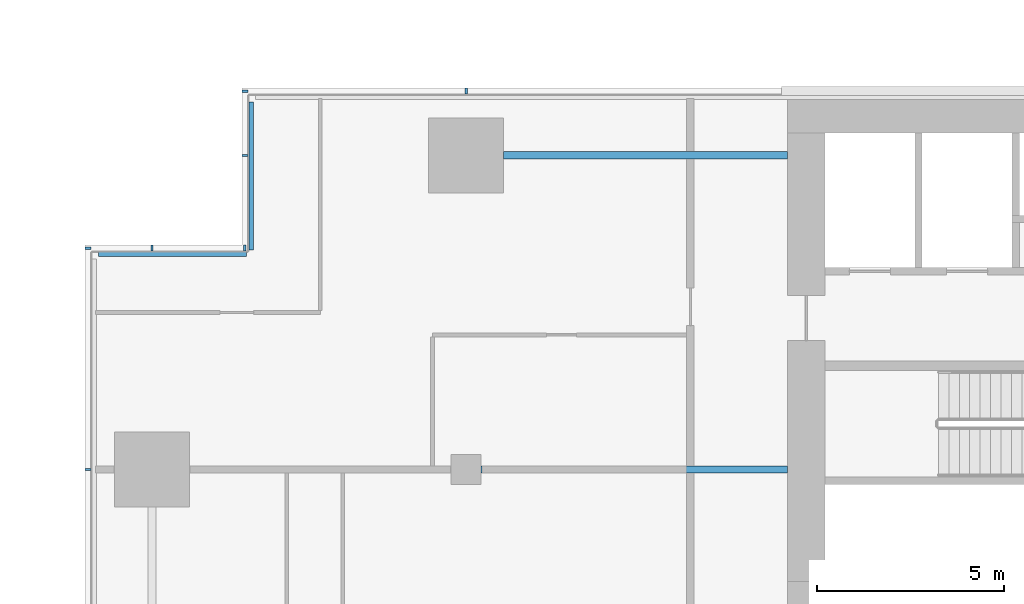
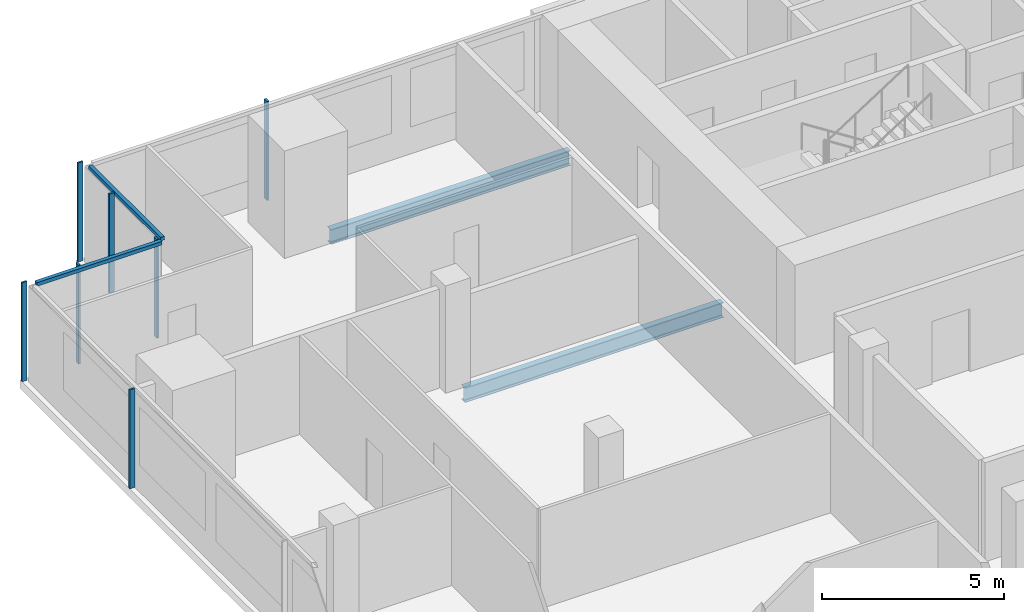
# One storey, part 8 of 29: 9 members, 2 beams, 4 elements without a shape of their own.
"""IFC4 building model written with IfcOpenShell, lengths in metres."""

from ifc_helpers import new_model, si_unit, direction, frame, origin, origin_2d, place, context, subcontext, project, spatial, rectangle, i_section, extrude, material, material_profile, profile_set, type_object, element, aggregate, save


model = new_model("IFC4")

# Units and contexts
model_context = context("Model", 3, precision=1e-05, world=origin(), true_north=direction((0.0, 1.0)))
body_context = subcontext(model_context, "Body", "Model", "MODEL_VIEW")
ifc_project = project(units=[si_unit("LENGTHUNIT", "METRE"), si_unit("AREAUNIT", "SQUARE_METRE"), si_unit("VOLUMEUNIT", "CUBIC_METRE"), si_unit("PLANEANGLEUNIT", "RADIAN"), si_unit("MASSUNIT", "GRAM", prefix="KILO")], contexts=[model_context])

# Site, building, storey
site_placement = place(None, origin())
site = spatial("IfcSite", under=ifc_project, at=site_placement, CompositionType="ELEMENT")
building_placement = place(site_placement, origin())
building = spatial("IfcBuilding", under=site, at=building_placement, Name="Saffron Gate Tower", CompositionType="ELEMENT")
storey_placement = place(building_placement, frame((0.0, 0.0, 116.85009765625)))
storey = spatial("IfcBuildingStorey", under=building, at=storey_placement, Name="L27", CompositionType="ELEMENT", Elevation=116.85009765625)

# Beams
ifc_material_1 = material(Name="Structural steel S355", Category="steel")
ifc_material_profile_1 = material_profile(ifc_material_1, i_section(OverallWidth=0.199951171875, OverallDepth=0.5, WebThickness=0.01025390625, FlangeThickness=0.01611328125, FilletRadius=0.02099609375, at=origin_2d()))
ifc_profile_set_1 = profile_set([ifc_material_profile_1], Name="Structural steel S355")
beam_type = type_object("IfcBeamType", Name="B10 IPE 500", PredefinedType="BEAM", material=ifc_profile_set_1)
beam_1_placement = place(storey_placement, frame((58.60009765625, 65.39990234375, -0.530029296875), z_axis=(1.0, 0.0, 0.0), x_axis=(0.0, 1.0, 0.0)))
element("IfcBeam", 1, at=beam_1_placement, inside=storey, type_object=beam_type, Name="B10 CORE TIE BEAM", PredefinedType="BEAM", context=body_context, shape_type="SweptSolid", body=[
    extrude(i_section(OverallWidth=0.199951171875, OverallDepth=0.5, WebThickness=0.01025390625, FlangeThickness=0.01611328125, FilletRadius=0.02099609375, at=origin_2d()), origin(), (0.0, 0.0, 1.0), 8.199951171875),
])
beam_2_placement = place(storey_placement, frame((59.199951171875, 73.800048828125, -0.530029296875), z_axis=(1.0, 0.0, 0.0), x_axis=(0.0, 1.0, 0.0)))
element("IfcBeam", 2, at=beam_2_placement, inside=storey, type_object=beam_type, Name="B10 CORE TIE BEAM", PredefinedType="BEAM", context=body_context, shape_type="SweptSolid", body=[
    extrude(i_section(OverallWidth=0.199951171875, OverallDepth=0.5, WebThickness=0.01025390625, FlangeThickness=0.01611328125, FilletRadius=0.02099609375, at=origin_2d()), origin(), (0.0, 0.0, 1.0), 7.60009765625),
])

# Curtain wall, members
ifc_material_2 = material(Name="Aluminium, bronze anodised", Category="aluminium")
curtain_wall_type_1 = type_object("IfcCurtainWallType", Name="CWS2 curtain wall side facades", PredefinedType="NOTDEFINED", material=ifc_material_2)
curtain_wall_1_placement = place(storey_placement, origin())
curtain_wall_1 = element("IfcCurtainWall", 3, at=curtain_wall_1_placement, inside=storey, type_object=curtain_wall_type_1, Name="CWS2 run 10", PredefinedType="NOTDEFINED")
ifc_material_profile_2 = material_profile(ifc_material_2, rectangle(XDim=0.159912109375, YDim=0.06005859375, at=origin_2d()))
ifc_profile_set_2 = profile_set([ifc_material_profile_2], Name="Aluminium, bronze anodised")
member_type_1 = type_object("IfcMemberType", Name="CWS2 mullion 60x160", PredefinedType="MULLION", material=ifc_profile_set_2)
member_1_placement = place(storey_placement, frame((48.080078125, 71.320068359375, 0.0), z_axis=(0.0, 0.0, 1.0), x_axis=(1.0, 0.0, 0.0)))
member_1 = element("IfcMember", 4, at=member_1_placement, type_object=member_type_1, Name="CWS2 mullion 1", PredefinedType="MULLION", context=body_context, shape_type="SweptSolid", body=[
    extrude(rectangle(XDim=0.159912109375, YDim=0.06005859375, at=origin_2d()), origin(), (0.0, 0.0, 1.0), 3.31982421875),
])
member_2_placement = place(storey_placement, frame((48.080078125, 65.39990234375, 0.0), z_axis=(0.0, 0.0, 1.0), x_axis=(1.0, 0.0, 0.0)))
member_2 = element("IfcMember", 5, at=member_2_placement, type_object=member_type_1, Name="CWS2 mullion 2", PredefinedType="MULLION", context=body_context, shape_type="SweptSolid", body=[
    extrude(rectangle(XDim=0.159912109375, YDim=0.06005859375, at=origin_2d()), origin(), (0.0, 0.0, 1.0), 3.31982421875),
])
aggregate(curtain_wall_1, [member_1, member_2])

# Curtain wall, member
curtain_wall_type_2 = type_object("IfcCurtainWallType", Name="CWS3 curtain wall rear facade", PredefinedType="NOTDEFINED", material=ifc_material_2)
curtain_wall_2_placement = place(storey_placement, origin())
curtain_wall_2 = element("IfcCurtainWall", 6, at=curtain_wall_2_placement, inside=storey, type_object=curtain_wall_type_2, Name="CWS3 run 7", PredefinedType="NOTDEFINED")
ifc_material_profile_3 = material_profile(ifc_material_2, rectangle(XDim=0.159912109375, YDim=0.070068359375, at=origin_2d()))
ifc_profile_set_3 = profile_set([ifc_material_profile_3], Name="Aluminium, bronze anodised")
member_type_2 = type_object("IfcMemberType", Name="CWS3 mullion 70x160", PredefinedType="MULLION", material=ifc_profile_set_3)
member_3_placement = place(storey_placement, frame((58.199951171875, 75.52001953125, 0.0), z_axis=(0.0, 0.0, 1.0), x_axis=(0.0, -1.0, 0.0)))
member_3 = element("IfcMember", 7, at=member_3_placement, type_object=member_type_2, Name="CWS3 mullion 9", PredefinedType="MULLION", context=body_context, shape_type="SweptSolid", body=[
    extrude(rectangle(XDim=0.159912109375, YDim=0.070068359375, at=origin_2d()), origin(), (0.0, 0.0, 1.0), 3.31982421875),
])
aggregate(curtain_wall_2, [member_3])

curtain_wall_type_3 = type_object("IfcCurtainWallType", Name="CWS4 curtain wall corner returns", PredefinedType="NOTDEFINED", material=ifc_material_2)
curtain_wall_3_placement = place(storey_placement, origin())
curtain_wall_3 = element("IfcCurtainWall", 8, at=curtain_wall_3_placement, inside=storey, type_object=curtain_wall_type_3, Name="CWS4 run 8", PredefinedType="NOTDEFINED")
ifc_material_profile_4 = material_profile(ifc_material_2, rectangle(XDim=0.1201171875, YDim=0.1201171875, at=origin_2d()))
ifc_profile_set_4 = profile_set([ifc_material_profile_4], Name="Aluminium, bronze anodised")
member_type_3 = type_object("IfcMemberType", Name="CWS4 head transom", PredefinedType="USERDEFINED", material=ifc_profile_set_4)
member_4_placement = place(storey_placement, frame((52.447998046875, 75.23193359375, 3.260009765625), z_axis=(0.0, -1.0, 0.0), x_axis=(1.0, 0.0, 0.0)))
member_4 = element("IfcMember", 9, at=member_4_placement, type_object=member_type_3, Name="CWS4 head transom", ObjectType="TRANSOM", PredefinedType="USERDEFINED", context=body_context, shape_type="SweptSolid", body=[
    extrude(rectangle(XDim=0.1201171875, YDim=0.1201171875, at=origin_2d()), origin(), (0.0, 0.0, 1.0), 3.9599609375),
])

curtain_wall_4_placement = place(storey_placement, origin())
curtain_wall_4 = element("IfcCurtainWall", 10, at=curtain_wall_4_placement, inside=storey, type_object=curtain_wall_type_3, Name="CWS4 run 9", PredefinedType="NOTDEFINED")
member_5_placement = place(storey_placement, frame((52.327880859375, 71.152099609375, 3.260009765625), z_axis=(-1.0, 0.0, 0.0), x_axis=(0.0, -1.0, 0.0)))
member_5 = element("IfcMember", 11, at=member_5_placement, type_object=member_type_3, Name="CWS4 head transom", ObjectType="TRANSOM", PredefinedType="USERDEFINED", context=body_context, shape_type="SweptSolid", body=[
    extrude(rectangle(XDim=0.1201171875, YDim=0.1201171875, at=origin_2d()), origin(), (0.0, 0.0, 1.0), 3.9599609375),
])

# Member
ifc_material_profile_5 = material_profile(ifc_material_2, rectangle(XDim=0.159912109375, YDim=0.06005859375, at=origin_2d()))
ifc_profile_set_5 = profile_set([ifc_material_profile_5], Name="Aluminium, bronze anodised")
member_type_4 = type_object("IfcMemberType", Name="CWS4 mullion 60x160", PredefinedType="MULLION", material=ifc_profile_set_5)
member_6_placement = place(storey_placement, frame((52.280029296875, 75.52001953125, 0.0), z_axis=(0.0, 0.0, 1.0), x_axis=(1.0, 0.0, 0.0)))
member_6 = element("IfcMember", 12, at=member_6_placement, type_object=member_type_4, Name="CWS4 mullion 1", PredefinedType="MULLION", context=body_context, shape_type="SweptSolid", body=[
    extrude(rectangle(XDim=0.159912109375, YDim=0.06005859375, at=origin_2d()), origin(), (0.0, 0.0, 1.0), 3.31982421875),
])

member_7_placement = place(storey_placement, frame((52.280029296875, 73.800048828125, 0.0), z_axis=(0.0, 0.0, 1.0), x_axis=(1.0, 0.0, 0.0)))
member_7 = element("IfcMember", 13, at=member_7_placement, type_object=member_type_4, Name="CWS4 mullion 2", PredefinedType="MULLION", context=body_context, shape_type="SweptSolid", body=[
    extrude(rectangle(XDim=0.159912109375, YDim=0.06005859375, at=origin_2d()), origin(), (0.0, 0.0, 1.0), 3.31982421875),
])

aggregate(curtain_wall_3, [member_6, member_7, member_4])

member_8_placement = place(storey_placement, frame((52.280029296875, 71.320068359375, 0.0), z_axis=(0.0, 0.0, 1.0), x_axis=(0.0, -1.0, 0.0)))
member_8 = element("IfcMember", 14, at=member_8_placement, type_object=member_type_4, Name="CWS4 mullion 1", PredefinedType="MULLION", context=body_context, shape_type="SweptSolid", body=[
    extrude(rectangle(XDim=0.159912109375, YDim=0.06005859375, at=origin_2d()), origin(), (0.0, 0.0, 1.0), 3.31982421875),
])

member_9_placement = place(storey_placement, frame((49.800048828125, 71.320068359375, 0.0), z_axis=(0.0, 0.0, 1.0), x_axis=(0.0, -1.0, 0.0)))
member_9 = element("IfcMember", 15, at=member_9_placement, type_object=member_type_4, Name="CWS4 mullion 2", PredefinedType="MULLION", context=body_context, shape_type="SweptSolid", body=[
    extrude(rectangle(XDim=0.159912109375, YDim=0.06005859375, at=origin_2d()), origin(), (0.0, 0.0, 1.0), 3.31982421875),
])

aggregate(curtain_wall_4, [member_8, member_9, member_5])

save(model, "model.ifc")
